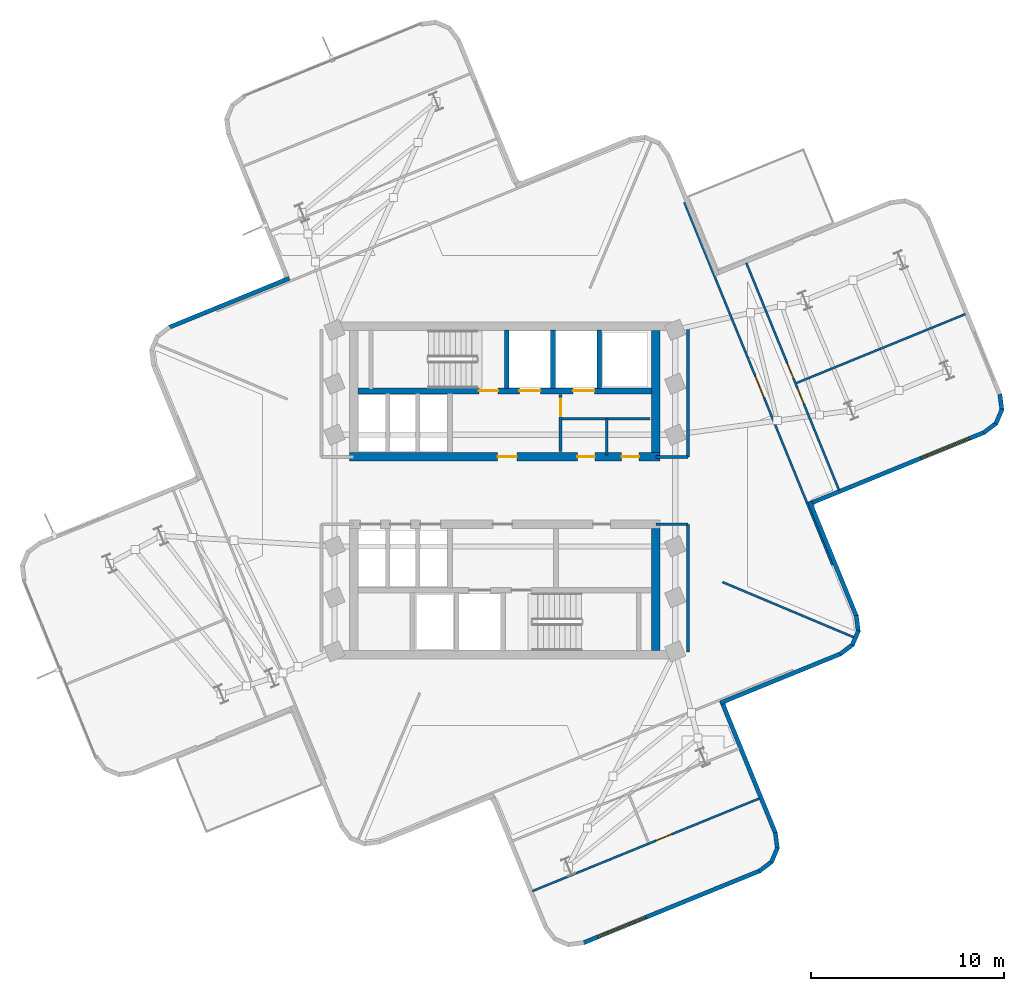
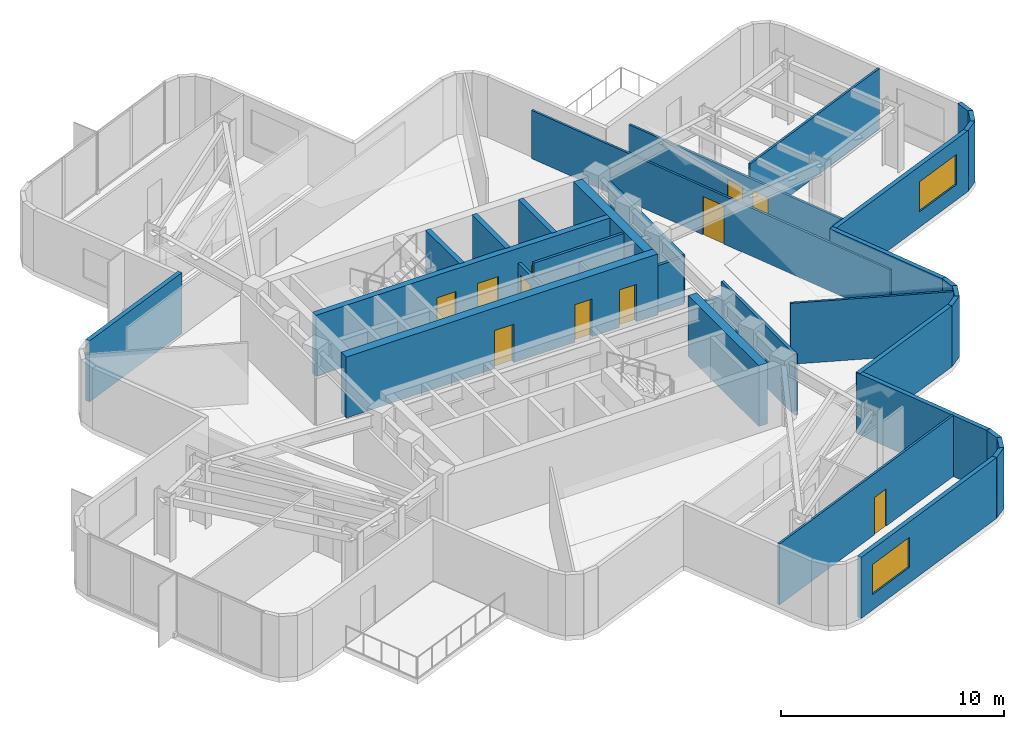
# One storey, part 7 of 11: 34 walls, 11 doors, 2 windows, 13 openings.
"""IFC4 building model written with IfcOpenShell, lengths in metres."""

from ifc_helpers import new_model, si_unit, direction, frame, frame_2d, origin, place, context, subcontext, project, spatial, rectangle, extrude, material, layer, layer_set, type_object, element, fill, save


model = new_model("IFC4")

# Units and contexts
model_context = context("Model", 3, precision=1e-05, world=origin(), true_north=direction((0.0, 1.0)))
body_context = subcontext(model_context, "Body", "Model", "MODEL_VIEW")
ifc_project = project(units=[si_unit("LENGTHUNIT", "METRE"), si_unit("AREAUNIT", "SQUARE_METRE"), si_unit("VOLUMEUNIT", "CUBIC_METRE"), si_unit("PLANEANGLEUNIT", "RADIAN"), si_unit("MASSUNIT", "GRAM", prefix="KILO")], contexts=[model_context])

# Site, building, storey
site_placement = place(None, origin())
site = spatial("IfcSite", under=ifc_project, at=site_placement, CompositionType="ELEMENT")
building_placement = place(site_placement, origin())
building = spatial("IfcBuilding", under=site, at=building_placement, Name="Solmarez Civic Tower", CompositionType="ELEMENT")
storey_placement = place(building_placement, frame((0.0, 0.0, 177.47998046875)))
storey = spatial("IfcBuildingStorey", under=building, at=storey_placement, Name="L47", CompositionType="ELEMENT", Elevation=177.47998046875)

# Wall, openings, doors
ifc_material_1 = material(Name="Concrete C50/60", Category="concrete")
ifc_layer_1 = layer(ifc_material_1, 0.449951171875)
ifc_layer_set_1 = layer_set([ifc_layer_1], Name="Concrete C50/60")
wall_type_1 = type_object("IfcWallType", Name="WALL-CORE-450", PredefinedType="SHEAR", material=ifc_layer_set_1)
wall_1_placement = place(storey_placement, frame((8.070068359375, 1.75, 0.0), z_axis=(0.0, 0.0, 1.0), x_axis=(-1.0, 0.0, 0.0)))
wall_1 = element("IfcWall", 1, at=wall_1_placement, inside=storey, type_object=wall_type_1, Name="L47 Split-Core Structural Wall NCW-S-L47", PredefinedType="SHEAR", context=body_context, shape_type="SweptSolid", body=[
    extrude(rectangle(XDim=16.14013671875, YDim=0.449951171875, at=frame_2d((8.070068359375, 0.0))), origin(), (0.0, 0.0, 1.0), 3.340087890625),
])
opening_1_placement = place(wall_1_placement, frame((7.449951171875, 0.0, 0.0)))
opening_1 = element("IfcOpeningElement", 2, at=opening_1_placement, cuts=wall_1, Name="Opening D-04", PredefinedType="OPENING", context=body_context, shape_type="SweptSolid", body=[
    extrude(rectangle(XDim=1.0, YDim=2.10009765625, at=frame_2d((0.5, 1.050048828125))), frame((0.0, 0.23486328125, 0.0), z_axis=(0.0, -1.0, 0.0), x_axis=(1.0, 0.0, 0.0)), (0.0, 0.0, 1.0), 0.469970703125),
])
opening_2_placement = place(wall_1_placement, frame((3.39990234375, 0.0, 0.0)))
opening_2 = element("IfcOpeningElement", 3, at=opening_2_placement, cuts=wall_1, Name="Opening D-09", PredefinedType="OPENING", context=body_context, shape_type="SweptSolid", body=[
    extrude(rectangle(XDim=0.89990234375, YDim=2.06005859375, at=frame_2d((0.449951171875, 1.030029296875))), frame((0.0, 0.23486328125, 0.0), z_axis=(0.0, -1.0, 0.0), x_axis=(1.0, 0.0, 0.0)), (0.0, 0.0, 1.0), 0.469970703125),
])
opening_3_placement = place(wall_1_placement, frame((1.10009765625, 0.0, 0.0)))
opening_3 = element("IfcOpeningElement", 4, at=opening_3_placement, cuts=wall_1, Name="Opening D-09", PredefinedType="OPENING", context=body_context, shape_type="SweptSolid", body=[
    extrude(rectangle(XDim=0.89990234375, YDim=2.06005859375, at=frame_2d((0.449951171875, 1.030029296875))), frame((0.0, 0.23486328125, 0.0), z_axis=(0.0, -1.0, 0.0), x_axis=(1.0, 0.0, 0.0)), (0.0, 0.0, 1.0), 0.469970703125),
])
ifc_material_2 = material(Name="Steel-Faced Acoustic Fire Door", Category="steel")
door_type_1 = type_object("IfcDoorType", Name="DOOR-FD60-1000", OperationType="NOTDEFINED", PredefinedType="DOOR", material=ifc_material_2)
door_1_placement = place(opening_1_placement, origin())
door_1 = element("IfcDoor", 5, at=door_1_placement, inside=storey, type_object=door_type_1, Name="L47 North Firefighting Lobby Door", OperationType="SINGLE_SWING_RIGHT", OverallHeight=2.10009765625, OverallWidth=1.0, PredefinedType="DOOR", context=body_context, shape_type="SweptSolid", body=[
    extrude(rectangle(XDim=1.0, YDim=2.10009765625, at=frame_2d((0.5, 1.050048828125))), frame((0.0, 0.02490234375, 0.0), z_axis=(0.0, -1.0, 0.0), x_axis=(1.0, 0.0, 0.0)), (0.0, 0.0, 1.0), 0.050048828125),
])
fill(opening_1, door_1)
ifc_material_3 = material(Name="Fire-Rated Service Core Door", Category="wood")
door_type_2 = type_object("IfcDoorType", Name="DOOR-FD60-900", OperationType="NOTDEFINED", PredefinedType="DOOR", material=ifc_material_3)
door_2_placement = place(opening_2_placement, origin())
door_2 = element("IfcDoor", 6, at=door_2_placement, inside=storey, type_object=door_type_2, Name="L47 Core WC Door", OperationType="SINGLE_SWING_LEFT", OverallHeight=2.06005859375, OverallWidth=0.89990234375, PredefinedType="DOOR", context=body_context, shape_type="SweptSolid", body=[
    extrude(rectangle(XDim=0.89990234375, YDim=2.06005859375, at=frame_2d((0.449951171875, 1.030029296875))), frame((0.0, 0.02490234375, 0.0), z_axis=(0.0, -1.0, 0.0), x_axis=(1.0, 0.0, 0.0)), (0.0, 0.0, 1.0), 0.050048828125),
])
fill(opening_2, door_2)
door_3_placement = place(opening_3_placement, origin())
door_3 = element("IfcDoor", 7, at=door_3_placement, inside=storey, type_object=door_type_2, Name="L47 Core CL Door", OperationType="SINGLE_SWING_RIGHT", OverallHeight=2.06005859375, OverallWidth=0.89990234375, PredefinedType="DOOR", context=body_context, shape_type="SweptSolid", body=[
    extrude(rectangle(XDim=0.89990234375, YDim=2.06005859375, at=frame_2d((0.449951171875, 1.030029296875))), frame((0.0, 0.02490234375, 0.0), z_axis=(0.0, -1.0, 0.0), x_axis=(1.0, 0.0, 0.0)), (0.0, 0.0, 1.0), 0.050048828125),
])
fill(opening_3, door_3)

# Walls
for number, where, z_axis, x_axis, name in (
    (8, (7.844970703125, 8.31005859375, 0.0), (0.0, 0.0, 1.0), (0.0, -1.0, 0.0), "L47 Split-Core Structural Wall NCW-E-L47"),
    (9, (7.844970703125, -1.97509765625, 0.0), (0.0, 0.0, 1.0), (0.0, -1.0, 0.0), "L47 Split-Core Structural Wall SCW-E-L47"),
):
    element("IfcWall", number, at=place(storey_placement, frame(where, z_axis=z_axis, x_axis=x_axis)), inside=storey, type_object=wall_type_1, Name=name, PredefinedType="SHEAR", context=body_context, shape_type="SweptSolid", body=[
        extrude(rectangle(XDim=6.3349609375, YDim=0.449951171875, at=frame_2d((3.16748046875, 0.0))), origin(), (0.0, 0.0, 1.0), 3.340087890625),
    ])
ifc_material_4 = material(Name="Precast concrete C40/50", Category="concrete")
ifc_layer_2 = layer(ifc_material_4, 0.219970703125)
ifc_layer_set_2 = layer_set([ifc_layer_2], Name="Precast concrete C40/50")
wall_type_2 = type_object("IfcWallType", Name="WALL-EXT-220", PredefinedType="SOLIDWALL", material=ifc_layer_set_2)
wall_2_placement = place(storey_placement, frame((-17.4560546875, 8.472900390625, 0.0), z_axis=(0.0, 0.0, 1.0), x_axis=(0.925916493636, 0.377728271133, 0.0)))
element("IfcWall", 10, at=wall_2_placement, inside=storey, type_object=wall_type_2, Name="L47 Exterior Precast Wall 17", PredefinedType="SOLIDWALL", context=body_context, shape_type="SweptSolid", body=[
    extrude(rectangle(XDim=6.7587890625, YDim=0.219970703125, at=frame_2d((3.37939453125, 0.0))), origin(), (0.0, 0.0, 1.0), 3.340087890625),
])
wall_3_placement = place(storey_placement, frame((25.7119140625, 5.0048828125, 0.0), z_axis=(0.0, 0.0, 1.0), x_axis=(0.124646916858, -0.992201162123, 0.0)))
element("IfcWall", 11, at=wall_3_placement, inside=storey, type_object=wall_type_2, Name="L47 Exterior Precast Wall 43", PredefinedType="SOLIDWALL", context=body_context, shape_type="SweptSolid", body=[
    extrude(rectangle(XDim=0.83447265625, YDim=0.219970703125, at=frame_2d((0.417236328125, 0.0))), origin(), (0.0, 0.0, 1.0), 3.340087890625),
])
wall_4_placement = place(storey_placement, frame((25.822998046875, 4.22509765625, 0.0), z_axis=(0.0, 0.0, 1.0), x_axis=(-0.387804180062, -0.921741784844, 0.0)))
element("IfcWall", 12, at=wall_4_placement, inside=storey, type_object=wall_type_2, Name="L47 Exterior Precast Wall 44", PredefinedType="SOLIDWALL", context=body_context, shape_type="SweptSolid", body=[
    extrude(rectangle(XDim=0.8203125, YDim=0.219970703125, at=frame_2d((0.41015625, 0.0))), origin(), (0.0, 0.0, 1.0), 3.340087890625),
])
wall_5_placement = place(storey_placement, frame((25.534912109375, 3.507080078125, 0.0), z_axis=(0.0, 0.0, 1.0), x_axis=(-0.796793288666, -0.604251979837, 0.0)))
element("IfcWall", 13, at=wall_5_placement, inside=storey, type_object=wall_type_2, Name="L47 Exterior Precast Wall 45", PredefinedType="SOLIDWALL", context=body_context, shape_type="SweptSolid", body=[
    extrude(rectangle(XDim=0.834228515625, YDim=0.219970703125, at=frame_2d((0.4169921875, 0.0))), origin(), (0.0, 0.0, 1.0), 3.340087890625),
])

# Wall, opening, window
wall_6_placement = place(storey_placement, frame((24.9130859375, 3.027099609375, 0.0), z_axis=(0.0, 0.0, 1.0), x_axis=(-0.925892554472, -0.37778694733, 0.0)))
wall_6 = element("IfcWall", 14, at=wall_6_placement, inside=storey, type_object=wall_type_2, Name="L47 Exterior Precast Wall 46", PredefinedType="SOLIDWALL", context=body_context, shape_type="SweptSolid", body=[
    extrude(rectangle(XDim=9.857666015625, YDim=0.219970703125, at=frame_2d((4.9287109375, 0.0))), origin(), (0.0, 0.0, 1.0), 3.340087890625),
])
opening_4_placement = place(wall_6_placement, frame((0.85009765625, 0.0, 0.85009765625)))
opening_4 = element("IfcOpeningElement", 15, at=opening_4_placement, cuts=wall_6, Name="Opening W-09", PredefinedType="OPENING", context=body_context, shape_type="SweptSolid", body=[
    extrude(rectangle(XDim=2.699951171875, YDim=1.64990234375, at=frame_2d((1.35009765625, 0.824951171875))), frame((0.0, 0.119873046875, 0.0), z_axis=(0.0, -1.0, 0.0), x_axis=(1.0, 0.0, 0.0)), (0.0, 0.0, 1.0), 0.239990234375),
])
ifc_material_5 = material(Name="Solar Control Bronze-Tinted Insulating Glass", Category="glass")
window_type = type_object("IfcWindowType", Name="WIN-2700X1650", PartitioningType="SINGLE_PANEL", PredefinedType="WINDOW", material=ifc_material_5)
window_1_placement = place(opening_4_placement, origin())
window_1 = element("IfcWindow", 16, at=window_1_placement, inside=storey, type_object=window_type, Name="L47 Exterior Facade Window 46", OverallHeight=1.64990234375, OverallWidth=2.699951171875, PartitioningType="SINGLE_PANEL", PredefinedType="WINDOW", context=body_context, shape_type="SweptSolid", body=[
    extrude(rectangle(XDim=2.699951171875, YDim=1.64990234375, at=frame_2d((1.35009765625, 0.824951171875))), frame((0.0, 0.030029296875, 0.0), z_axis=(0.0, -1.0, 0.0), x_axis=(1.0, 0.0, 0.0)), (0.0, 0.0, 1.0), 0.06005859375),
])
fill(opening_4, window_1)

# Walls
wall_7_placement = place(storey_placement, frame((15.833984375, -0.5830078125, 0.0), z_axis=(0.0, 0.0, 1.0), x_axis=(0.377776256629, -0.925896916469, 0.0)))
element("IfcWall", 17, at=wall_7_placement, inside=storey, type_object=wall_type_2, Name="L47 Exterior Precast Wall 49", PredefinedType="SOLIDWALL", context=body_context, shape_type="SweptSolid", body=[
    extrude(rectangle(XDim=6.43798828125, YDim=0.219970703125, at=frame_2d((3.218994140625, 0.0))), origin(), (0.0, 0.0, 1.0), 3.340087890625),
])
wall_8_placement = place(storey_placement, frame((18.25390625, -6.49609375, 0.0), z_axis=(0.0, 0.0, 1.0), x_axis=(0.124646916858, -0.992201162123, 0.0)))
element("IfcWall", 18, at=wall_8_placement, inside=storey, type_object=wall_type_2, Name="L47 Exterior Precast Wall 50", PredefinedType="SOLIDWALL", context=body_context, shape_type="SweptSolid", body=[
    extrude(rectangle(XDim=0.83447265625, YDim=0.219970703125, at=frame_2d((0.417236328125, 0.0))), origin(), (0.0, 0.0, 1.0), 3.340087890625),
])
wall_9_placement = place(storey_placement, frame((18.364990234375, -7.27587890625, 0.0), z_axis=(0.0, 0.0, 1.0), x_axis=(-0.387977068381, -0.9216690265, 0.0)))
element("IfcWall", 19, at=wall_9_placement, inside=storey, type_object=wall_type_2, Name="L47 Exterior Precast Wall 51", PredefinedType="SOLIDWALL", context=body_context, shape_type="SweptSolid", body=[
    extrude(rectangle(XDim=0.8193359375, YDim=0.219970703125, at=frame_2d((0.40966796875, 0.0))), origin(), (0.0, 0.0, 1.0), 3.340087890625),
])
wall_10_placement = place(storey_placement, frame((18.076904296875, -7.992919921875, 0.0), z_axis=(0.0, 0.0, 1.0), x_axis=(-0.796365329878, -0.604815890473, 0.0)))
element("IfcWall", 20, at=wall_10_placement, inside=storey, type_object=wall_type_2, Name="L47 Exterior Precast Wall 52", PredefinedType="SOLIDWALL", context=body_context, shape_type="SweptSolid", body=[
    extrude(rectangle(XDim=0.83349609375, YDim=0.219970703125, at=frame_2d((0.416748046875, 0.0))), origin(), (0.0, 0.0, 1.0), 3.340087890625),
])
wall_11_placement = place(storey_placement, frame((17.4560546875, -8.472900390625, 0.0), z_axis=(0.0, 0.0, 1.0), x_axis=(-0.925916493636, -0.377728271133, 0.0)))
element("IfcWall", 21, at=wall_11_placement, inside=storey, type_object=wall_type_2, Name="L47 Exterior Precast Wall 53", PredefinedType="SOLIDWALL", context=body_context, shape_type="SweptSolid", body=[
    extrude(rectangle(XDim=6.7587890625, YDim=0.219970703125, at=frame_2d((3.37939453125, 0.0))), origin(), (0.0, 0.0, 1.0), 3.340087890625),
])
wall_12_placement = place(storey_placement, frame((11.24609375, -10.912109375, 0.0), z_axis=(0.0, 0.0, 1.0), x_axis=(0.377850036169, -0.925866810166, 0.0)))
element("IfcWall", 22, at=wall_12_placement, inside=storey, type_object=wall_type_2, Name="L47 Exterior Precast Wall 56", PredefinedType="SOLIDWALL", context=body_context, shape_type="SweptSolid", body=[
    extrude(rectangle(XDim=7.457763671875, YDim=0.219970703125, at=frame_2d((3.72900390625, 0.0))), origin(), (0.0, 0.0, 1.0), 3.340087890625),
])
wall_13_placement = place(storey_placement, frame((14.052001953125, -17.76904296875, 0.0), z_axis=(0.0, 0.0, 1.0), x_axis=(0.124646916858, -0.992201162123, 0.0)))
element("IfcWall", 23, at=wall_13_placement, inside=storey, type_object=wall_type_2, Name="L47 Exterior Precast Wall 57", PredefinedType="SOLIDWALL", context=body_context, shape_type="SweptSolid", body=[
    extrude(rectangle(XDim=0.83447265625, YDim=0.219970703125, at=frame_2d((0.417236328125, 0.0))), origin(), (0.0, 0.0, 1.0), 3.340087890625),
])
wall_14_placement = place(storey_placement, frame((14.1630859375, -18.549072265625, 0.0), z_axis=(0.0, 0.0, 1.0), x_axis=(-0.388336782412, -0.92151752204, 0.0)))
element("IfcWall", 24, at=wall_14_placement, inside=storey, type_object=wall_type_2, Name="L47 Exterior Precast Wall 58", PredefinedType="SOLIDWALL", context=body_context, shape_type="SweptSolid", body=[
    extrude(rectangle(XDim=0.819091796875, YDim=0.219970703125, at=frame_2d((0.40966796875, 0.0))), origin(), (0.0, 0.0, 1.0), 3.340087890625),
])
wall_15_placement = place(storey_placement, frame((13.875, -19.26611328125, 0.0), z_axis=(0.0, 0.0, 1.0), x_axis=(-0.796613459657, -0.604489037034, 0.0)))
element("IfcWall", 25, at=wall_15_placement, inside=storey, type_object=wall_type_2, Name="L47 Exterior Precast Wall 59", PredefinedType="SOLIDWALL", context=body_context, shape_type="SweptSolid", body=[
    extrude(rectangle(XDim=0.83349609375, YDim=0.219970703125, at=frame_2d((0.416748046875, 0.0))), origin(), (0.0, 0.0, 1.0), 3.340087890625),
])

# Wall, opening, window
wall_16_placement = place(storey_placement, frame((13.25390625, -19.74609375, 0.0), z_axis=(0.0, 0.0, 1.0), x_axis=(-0.925876400685, -0.377826535137, 0.0)))
wall_16 = element("IfcWall", 26, at=wall_16_placement, inside=storey, type_object=wall_type_2, Name="L47 Exterior Precast Wall 60", PredefinedType="SOLIDWALL", context=body_context, shape_type="SweptSolid", body=[
    extrude(rectangle(XDim=9.940673828125, YDim=0.219970703125, at=frame_2d((4.97021484375, 0.0))), origin(), (0.0, 0.0, 1.0), 3.340087890625),
])
opening_5_placement = place(wall_16_placement, frame((6.404052734375, 0.0, 0.85009765625)))
opening_5 = element("IfcOpeningElement", 27, at=opening_5_placement, cuts=wall_16, Name="Opening W-09", PredefinedType="OPENING", context=body_context, shape_type="SweptSolid", body=[
    extrude(rectangle(XDim=2.699951171875, YDim=1.64990234375, at=frame_2d((1.35009765625, 0.824951171875))), frame((0.0, 0.119873046875, 0.0), z_axis=(0.0, -1.0, 0.0), x_axis=(1.0, 0.0, 0.0)), (0.0, 0.0, 1.0), 0.239990234375),
])
window_2_placement = place(opening_5_placement, origin())
window_2 = element("IfcWindow", 28, at=window_2_placement, inside=storey, type_object=window_type, Name="L47 Exterior Facade Window 60", OverallHeight=1.64990234375, OverallWidth=2.699951171875, PartitioningType="SINGLE_PANEL", PredefinedType="WINDOW", context=body_context, shape_type="SweptSolid", body=[
    extrude(rectangle(XDim=2.699951171875, YDim=1.64990234375, at=frame_2d((1.35009765625, 0.824951171875))), frame((0.0, 0.030029296875, 0.0), z_axis=(0.0, -1.0, 0.0), x_axis=(1.0, 0.0, 0.0)), (0.0, 0.0, 1.0), 0.06005859375),
])
fill(opening_5, window_2)

# Walls
ifc_material_6 = material(Name="Gypsum Board Acoustic Steel-Stud Partition", Category="steel")
ifc_layer_3 = layer(ifc_material_6, 0.14990234375)
ifc_layer_set_3 = layer_set([ifc_layer_3], Name="Gypsum Board Acoustic Steel-Stud Partition")
wall_type_3 = type_object("IfcWallType", Name="WALL-INT-FIRE-150", PredefinedType="PARTITIONING", material=ifc_layer_set_3)
wall_17_placement = place(storey_placement, frame((9.52001953125, 1.75, 0.0), z_axis=(0.0, 0.0, 1.0), x_axis=(0.0, 1.0, 0.0)))
element("IfcWall", 29, at=wall_17_placement, inside=storey, type_object=wall_type_3, Name="L47 Interior Partition CHW-L47-EN1", PredefinedType="PARTITIONING", context=body_context, shape_type="SweptSolid", body=[
    extrude(rectangle(XDim=6.6298828125, YDim=0.14990234375, at=frame_2d((3.31494140625, 0.0))), origin(), (0.0, 0.0, 1.0), 2.64404296875),
])
wall_18_placement = place(storey_placement, frame((7.85009765625, 1.75, 0.0), z_axis=(0.0, 0.0, 1.0), x_axis=(1.0, 0.0, 0.0)))
element("IfcWall", 30, at=wall_18_placement, inside=storey, type_object=wall_type_3, Name="L47 Interior Partition CHW-L47-EN3", PredefinedType="PARTITIONING", context=body_context, shape_type="SweptSolid", body=[
    extrude(rectangle(XDim=1.669921875, YDim=0.14990234375, at=frame_2d((0.8349609375, 0.0))), origin(), (0.0, 0.0, 1.0), 2.570068359375),
])
wall_19_placement = place(storey_placement, frame((9.52001953125, -8.3798828125, 0.0), z_axis=(0.0, 0.0, 1.0), x_axis=(0.0, 1.0, 0.0)))
element("IfcWall", 31, at=wall_19_placement, inside=storey, type_object=wall_type_3, Name="L47 Interior Partition CHW-L47-ES1", PredefinedType="PARTITIONING", context=body_context, shape_type="SweptSolid", body=[
    extrude(rectangle(XDim=6.6298828125, YDim=0.14990234375, at=frame_2d((3.31494140625, 0.0))), origin(), (0.0, 0.0, 1.0), 3.340087890625),
])
wall_20_placement = place(storey_placement, frame((7.85009765625, -1.75, 0.0), z_axis=(0.0, 0.0, 1.0), x_axis=(1.0, 0.0, 0.0)))
element("IfcWall", 32, at=wall_20_placement, inside=storey, type_object=wall_type_3, Name="L47 Interior Partition CHW-L47-ES3", PredefinedType="PARTITIONING", context=body_context, shape_type="SweptSolid", body=[
    extrude(rectangle(XDim=1.669921875, YDim=0.14990234375, at=frame_2d((0.8349609375, 0.0))), origin(), (0.0, 0.0, 1.0), 2.570068359375),
])
ifc_layer_4 = layer(ifc_material_6, 0.110107421875)
ifc_layer_set_4 = layer_set([ifc_layer_4], Name="Gypsum Board Acoustic Steel-Stud Partition")
wall_type_4 = type_object("IfcWallType", Name="WALL-INT-PART-110", PredefinedType="PARTITIONING", material=ifc_layer_set_4)
wall_21_placement = place(storey_placement, frame((11.300048828125, -4.75, 0.0), z_axis=(0.0, 0.0, 1.0), x_axis=(0.92186077199, -0.387521247245, 0.0)))
element("IfcWall", 33, at=wall_21_placement, inside=storey, type_object=wall_type_4, Name="L47 Interior Partition PT-L47-QDIV-4", PredefinedType="PARTITIONING", context=body_context, shape_type="SweptSolid", body=[
    extrude(rectangle(XDim=7.41650390625, YDim=0.110107421875, at=frame_2d((3.708251953125, 0.0))), origin(), (0.0, 0.0, 1.0), 3.340087890625),
])

# Wall, opening, door
wall_22_placement = place(storey_placement, frame((9.322998046875, 14.972900390625, 0.0), z_axis=(0.0, 0.0, 1.0), x_axis=(0.377891753295, -0.92584978414, 0.0)))
wall_22 = element("IfcWall", 34, at=wall_22_placement, inside=storey, type_object=wall_type_4, Name="L47 Interior Partition PT-L47-E-ENT", PredefinedType="PARTITIONING", context=body_context, shape_type="SweptSolid", body=[
    extrude(rectangle(XDim=20.360595703125, YDim=0.110107421875, at=frame_2d((10.18017578125, 0.0))), origin(), (0.0, 0.0, 1.0), 2.64404296875),
])
opening_6_placement = place(wall_22_placement, frame((9.740966796875, 0.0, 0.0)))
opening_6 = element("IfcOpeningElement", 35, at=opening_6_placement, cuts=wall_22, Name="Opening D-11", PredefinedType="OPENING", context=body_context, shape_type="SweptSolid", body=[
    extrude(rectangle(XDim=1.199951171875, YDim=2.10009765625, at=frame_2d((0.60009765625, 1.050048828125))), frame((0.0, 0.06494140625, 0.0), z_axis=(0.0, -1.0, 0.0), x_axis=(1.0, 0.0, 0.0)), (0.0, 0.0, 1.0), 0.130126953125),
])
ifc_material_7 = material(Name="Glazed-Vision Acoustic Chamber Door", Category="wood")
door_type_3 = type_object("IfcDoorType", Name="DOOR-INT-1200", OperationType="NOTDEFINED", PredefinedType="DOOR", material=ifc_material_7)
door_4_placement = place(opening_6_placement, origin())
door_4 = element("IfcDoor", 36, at=door_4_placement, inside=storey, type_object=door_type_3, Name="L47 Tribunal Chamber Wellness Fitness Room First East Door", OperationType="SINGLE_SWING_LEFT", OverallHeight=2.10009765625, OverallWidth=1.199951171875, PredefinedType="DOOR", context=body_context, shape_type="SweptSolid", body=[
    extrude(rectangle(XDim=1.199951171875, YDim=2.10009765625, at=frame_2d((0.60009765625, 1.050048828125))), frame((0.0, 0.02490234375, 0.0), z_axis=(0.0, -1.0, 0.0), x_axis=(1.0, 0.0, 0.0)), (0.0, 0.0, 1.0), 0.050048828125),
])
fill(opening_6, door_4)

# Wall
wall_23_placement = place(storey_placement, frame((15.15087890625, 5.589111328125, 0.0), z_axis=(0.0, 0.0, 1.0), x_axis=(0.925886825242, 0.37780098841, 0.0)))
element("IfcWall", 37, at=wall_23_placement, inside=storey, type_object=wall_type_4, Name="L47 Interior Partition PT-L47-E-TSP", PredefinedType="PARTITIONING", context=body_context, shape_type="SweptSolid", body=[
    extrude(rectangle(XDim=9.475341796875, YDim=0.110107421875, at=frame_2d((4.73779296875, 0.0))), origin(), (0.0, 0.0, 1.0), 3.340087890625),
])

# Wall, openings, doors
wall_24_placement = place(storey_placement, frame((17.35693359375, 0.02490234375, 0.0), z_axis=(0.0, 0.0, 1.0), x_axis=(-0.37779315338, 0.925890022227, 0.0)))
wall_24 = element("IfcWall", 38, at=wall_24_placement, inside=storey, type_object=wall_type_4, Name="L47 Interior Partition PT-L47-E-SCUT", PredefinedType="PARTITIONING", context=body_context, shape_type="SweptSolid", body=[
    extrude(rectangle(XDim=12.75, YDim=0.110107421875, at=frame_2d((6.375, 0.0))), origin(), (0.0, 0.0, 1.0), 2.64404296875),
])
opening_7_placement = place(wall_24_placement, frame((4.8349609375, 0.0, 0.0)))
opening_7 = element("IfcOpeningElement", 39, at=opening_7_placement, cuts=wall_24, Name="Opening D-14", PredefinedType="OPENING", context=body_context, shape_type="SweptSolid", body=[
    extrude(rectangle(XDim=0.860107421875, YDim=2.0400390625, at=frame_2d((0.43017578125, 1.02001953125))), frame((0.0, 0.06494140625, 0.0), z_axis=(0.0, -1.0, 0.0), x_axis=(1.0, 0.0, 0.0)), (0.0, 0.0, 1.0), 0.130126953125),
])
opening_8_placement = place(wall_24_placement, frame((6.27490234375, 0.0, 0.0)))
opening_8 = element("IfcOpeningElement", 40, at=opening_8_placement, cuts=wall_24, Name="Opening D-14", PredefinedType="OPENING", context=body_context, shape_type="SweptSolid", body=[
    extrude(rectangle(XDim=0.860107421875, YDim=2.0400390625, at=frame_2d((0.43017578125, 1.02001953125))), frame((0.0, 0.06494140625, 0.0), z_axis=(0.0, -1.0, 0.0), x_axis=(1.0, 0.0, 0.0)), (0.0, 0.0, 1.0), 0.130126953125),
])
ifc_material_8 = material(Name="Timber Storage and Pantry Door", Category="wood")
door_type_4 = type_object("IfcDoorType", Name="DOOR-INT-850", OperationType="NOTDEFINED", PredefinedType="DOOR", material=ifc_material_8)
door_5_placement = place(opening_7_placement, origin())
door_5 = element("IfcDoor", 41, at=door_5_placement, inside=storey, type_object=door_type_4, Name="L47 Public Reading Room Third East Door", OperationType="SINGLE_SWING_RIGHT", OverallHeight=2.0400390625, OverallWidth=0.860107421875, PredefinedType="DOOR", context=body_context, shape_type="SweptSolid", body=[
    extrude(rectangle(XDim=0.860107421875, YDim=2.0400390625, at=frame_2d((0.43017578125, 1.02001953125))), frame((0.0, 0.02490234375, 0.0), z_axis=(0.0, -1.0, 0.0), x_axis=(1.0, 0.0, 0.0)), (0.0, 0.0, 1.0), 0.050048828125),
])
fill(opening_7, door_5)
door_6_placement = place(opening_8_placement, origin())
door_6 = element("IfcDoor", 42, at=door_6_placement, inside=storey, type_object=door_type_4, Name="L47 Citizen Legal Clinic Second East Door", OperationType="SINGLE_SWING_LEFT", OverallHeight=2.0400390625, OverallWidth=0.860107421875, PredefinedType="DOOR", context=body_context, shape_type="SweptSolid", body=[
    extrude(rectangle(XDim=0.860107421875, YDim=2.0400390625, at=frame_2d((0.43017578125, 1.02001953125))), frame((0.0, 0.02490234375, 0.0), z_axis=(0.0, -1.0, 0.0), x_axis=(1.0, 0.0, 0.0)), (0.0, 0.0, 1.0), 0.050048828125),
])
fill(opening_8, door_6)

# Wall, opening, door
wall_25_placement = place(storey_placement, frame((13.236083984375, -15.98388671875, 0.0), z_axis=(0.0, 0.0, 1.0), x_axis=(-0.92585653016, -0.377875224856, 0.0)))
wall_25 = element("IfcWall", 43, at=wall_25_placement, inside=storey, type_object=wall_type_4, Name="L47 Interior Partition PT-L47-S-S2", PredefinedType="PARTITIONING", context=body_context, shape_type="SweptSolid", body=[
    extrude(rectangle(XDim=12.75048828125, YDim=0.110107421875, at=frame_2d((6.375244140625, 0.0))), origin(), (0.0, 0.0, 1.0), 3.340087890625),
])
opening_9_placement = place(wall_25_placement, frame((4.93994140625, 0.0, 0.0)))
opening_9 = element("IfcOpeningElement", 44, at=opening_9_placement, cuts=wall_25, Name="Opening D-14", PredefinedType="OPENING", context=body_context, shape_type="SweptSolid", body=[
    extrude(rectangle(XDim=0.860107421875, YDim=2.0400390625, at=frame_2d((0.43017578125, 1.02001953125))), frame((0.0, 0.06494140625, 0.0), z_axis=(0.0, -1.0, 0.0), x_axis=(1.0, 0.0, 0.0)), (0.0, 0.0, 1.0), 0.130126953125),
])
door_7_placement = place(opening_9_placement, origin())
door_7 = element("IfcDoor", 45, at=door_7_placement, inside=storey, type_object=door_type_4, Name="L47 Public Reading Room Fourth South Door", OperationType="SINGLE_SWING_LEFT", OverallHeight=2.0400390625, OverallWidth=0.860107421875, PredefinedType="DOOR", context=body_context, shape_type="SweptSolid", body=[
    extrude(rectangle(XDim=0.860107421875, YDim=2.0400390625, at=frame_2d((0.43017578125, 1.02001953125))), frame((0.0, 0.02490234375, 0.0), z_axis=(0.0, -1.0, 0.0), x_axis=(1.0, 0.0, 0.0)), (0.0, 0.0, 1.0), 0.050048828125),
])
fill(opening_9, door_7)

ifc_layer_5 = layer(ifc_material_6, 0.159912109375)
ifc_layer_set_5 = layer_set([ifc_layer_5], Name="Gypsum Board Acoustic Steel-Stud Partition")
wall_type_5 = type_object("IfcWallType", Name="WALL-INT-SHAFT-160", PredefinedType="PARTITIONING", material=ifc_layer_set_5)
wall_26_placement = place(storey_placement, frame((2.89990234375, 2.0400390625, 0.0), z_axis=(0.0, 0.0, 1.0), x_axis=(0.0, 1.0, 0.0)))
wall_26 = element("IfcWall", 46, at=wall_26_placement, inside=storey, type_object=wall_type_5, Name="L47 Interior Partition SHW-NL2-L47", PredefinedType="PARTITIONING", context=body_context, shape_type="SweptSolid", body=[
    extrude(rectangle(XDim=2.93994140625, YDim=0.159912109375, at=frame_2d((1.469970703125, 0.0))), origin(), (0.0, 0.0, 1.0), 2.570068359375),
])
opening_10_placement = place(wall_26_placement, frame((1.820068359375, 0.0, 0.0)))
opening_10 = element("IfcOpeningElement", 47, at=opening_10_placement, cuts=wall_26, Name="Opening D-09", PredefinedType="OPENING", context=body_context, shape_type="SweptSolid", body=[
    extrude(rectangle(XDim=0.89990234375, YDim=2.06005859375, at=frame_2d((0.449951171875, 1.030029296875))), frame((0.0, 0.08984375, 0.0), z_axis=(0.0, -1.0, 0.0), x_axis=(1.0, 0.0, 0.0)), (0.0, 0.0, 1.0), 0.179931640625),
])
door_8_placement = place(opening_10_placement, origin())
door_8 = element("IfcDoor", 48, at=door_8_placement, inside=storey, type_object=door_type_2, Name="L47 Service Lift Lobby Door", OperationType="SINGLE_SWING_LEFT", OverallHeight=2.06005859375, OverallWidth=0.89990234375, PredefinedType="DOOR", context=body_context, shape_type="SweptSolid", body=[
    extrude(rectangle(XDim=0.89990234375, YDim=2.06005859375, at=frame_2d((0.449951171875, 1.030029296875))), frame((0.0, 0.02490234375, 0.0), z_axis=(0.0, -1.0, 0.0), x_axis=(1.0, 0.0, 0.0)), (0.0, 0.0, 1.0), 0.050048828125),
])
fill(opening_10, door_8)

# Walls
ifc_layer_6 = layer(ifc_material_6, 0.137939453125)
ifc_layer_set_6 = layer_set([ifc_layer_6], Name="Gypsum Board Acoustic Steel-Stud Partition")
wall_type_6 = type_object("IfcWallType", Name="WALL-INT-WET-140", PredefinedType="PARTITIONING", material=ifc_layer_set_6)
wall_27_placement = place(storey_placement, frame((2.89990234375, 3.739990234375, 0.0), z_axis=(0.0, 0.0, 1.0), x_axis=(1.0, 0.0, 0.0)))
element("IfcWall", 49, at=wall_27_placement, inside=storey, type_object=wall_type_6, Name="L47 Interior Partition SHW-SVH-L47", PredefinedType="PARTITIONING", context=body_context, shape_type="SweptSolid", body=[
    extrude(rectangle(XDim=4.650146484375, YDim=0.137939453125, at=frame_2d((2.3251953125, 0.0))), origin(), (0.0, 0.0, 1.0), 3.340087890625),
])
wall_28_placement = place(storey_placement, frame((5.300048828125, 1.85009765625, 0.0), z_axis=(0.0, 0.0, 1.0), x_axis=(0.0, 1.0, 0.0)))
element("IfcWall", 50, at=wall_28_placement, inside=storey, type_object=wall_type_6, Name="L47 Interior Partition PT-NCSV-L47", PredefinedType="PARTITIONING", context=body_context, shape_type="SweptSolid", body=[
    extrude(rectangle(XDim=1.889892578125, YDim=0.137939453125, at=frame_2d((0.94482421875, 0.0))), origin(), (0.0, 0.0, 1.0), 2.570068359375),
])

# Wall, openings, doors
ifc_layer_7 = layer(ifc_material_1, 0.300048828125)
ifc_layer_set_7 = layer_set([ifc_layer_7], Name="Concrete C50/60")
wall_type_7 = type_object("IfcWallType", Name="WALL-STR-300", PredefinedType="SOLIDWALL", material=ifc_layer_set_7)
wall_29_placement = place(storey_placement, frame((7.6201171875, 5.179931640625, 0.0), z_axis=(0.0, 0.0, 1.0), x_axis=(-1.0, 0.0, 0.0)))
wall_29 = element("IfcWall", 51, at=wall_29_placement, inside=storey, type_object=wall_type_7, Name="L47 Split-Core Structural Wall NCW-M-L47", PredefinedType="SOLIDWALL", context=body_context, shape_type="SweptSolid", body=[
    extrude(rectangle(XDim=15.240234375, YDim=0.300048828125, at=frame_2d((7.6201171875, 0.0))), origin(), (0.0, 0.0, 1.0), 3.340087890625),
])
opening_11_placement = place(wall_29_placement, frame((5.77001953125, 0.0, 0.0)))
opening_11 = element("IfcOpeningElement", 52, at=opening_11_placement, cuts=wall_29, Name="Opening LD-02", PredefinedType="OPENING", context=body_context, shape_type="SweptSolid", body=[
    extrude(rectangle(XDim=1.10009765625, YDim=2.14990234375, at=frame_2d((0.550048828125, 1.074951171875))), frame((0.0, 0.159912109375, 0.0), z_axis=(0.0, -1.0, 0.0), x_axis=(1.0, 0.0, 0.0)), (0.0, 0.0, 1.0), 0.320068359375),
])
opening_12_placement = place(wall_29_placement, frame((2.969970703125, 0.0, 0.0)))
opening_12 = element("IfcOpeningElement", 53, at=opening_12_placement, cuts=wall_29, Name="Opening LD-03", PredefinedType="OPENING", context=body_context, shape_type="SweptSolid", body=[
    extrude(rectangle(XDim=1.10009765625, YDim=2.14990234375, at=frame_2d((0.550048828125, 1.074951171875))), frame((0.0, 0.159912109375, 0.0), z_axis=(0.0, -1.0, 0.0), x_axis=(1.0, 0.0, 0.0)), (0.0, 0.0, 1.0), 0.320068359375),
])
opening_13_placement = place(wall_29_placement, frame((7.969970703125, 0.0, 0.0)))
opening_13 = element("IfcOpeningElement", 54, at=opening_13_placement, cuts=wall_29, Name="Opening D-05", PredefinedType="OPENING", context=body_context, shape_type="SweptSolid", body=[
    extrude(rectangle(XDim=1.0, YDim=2.10009765625, at=frame_2d((0.5, 1.050048828125))), frame((0.0, 0.159912109375, 0.0), z_axis=(0.0, -1.0, 0.0), x_axis=(1.0, 0.0, 0.0)), (0.0, 0.0, 1.0), 0.320068359375),
])
ifc_material_9 = material(Name="Fire-Rated Stairwell Exit Door", Category="wood")
door_type_5 = type_object("IfcDoorType", Name="DOOR-FD90-1000", OperationType="NOTDEFINED", PredefinedType="DOOR", material=ifc_material_9)
door_9_placement = place(opening_13_placement, origin())
door_9 = element("IfcDoor", 55, at=door_9_placement, inside=storey, type_object=door_type_5, Name="L47 North Exit Stair Door ST-1", OperationType="SINGLE_SWING_RIGHT", OverallHeight=2.10009765625, OverallWidth=1.0, PredefinedType="DOOR", context=body_context, shape_type="SweptSolid", body=[
    extrude(rectangle(XDim=1.0, YDim=2.10009765625, at=frame_2d((0.5, 1.050048828125))), frame((0.0, 0.02490234375, 0.0), z_axis=(0.0, -1.0, 0.0), x_axis=(1.0, 0.0, 0.0)), (0.0, 0.0, 1.0), 0.050048828125),
])
fill(opening_13, door_9)
ifc_material_10 = material(Name="Stainless Firefighting Lift Landing Sliding Door", Category="aluminium")
door_type_6 = type_object("IfcDoorType", Name="DOOR-LD-FF-1100", OperationType="DOUBLE_DOOR_SLIDING", PredefinedType="DOOR", material=ifc_material_10)
door_10_placement = place(opening_11_placement, origin())
door_10 = element("IfcDoor", 56, at=door_10_placement, inside=storey, type_object=door_type_6, Name="L47 Firefighting Lift Landing Door FFL-1", OperationType="DOUBLE_DOOR_SLIDING", OverallHeight=2.14990234375, OverallWidth=1.10009765625, PredefinedType="DOOR", context=body_context, shape_type="SweptSolid", body=[
    extrude(rectangle(XDim=1.10009765625, YDim=2.14990234375, at=frame_2d((0.550048828125, 1.074951171875))), frame((0.0, 0.02490234375, 0.0), z_axis=(0.0, -1.0, 0.0), x_axis=(1.0, 0.0, 0.0)), (0.0, 0.0, 1.0), 0.050048828125),
])
fill(opening_11, door_10)
ifc_material_11 = material(Name="Stainless Stretcher Lift Landing Sliding Door", Category="aluminium")
door_type_7 = type_object("IfcDoorType", Name="DOOR-LD-SV-1100", OperationType="DOUBLE_DOOR_SLIDING", PredefinedType="DOOR", material=ifc_material_11)
door_11_placement = place(opening_12_placement, origin())
door_11 = element("IfcDoor", 57, at=door_11_placement, inside=storey, type_object=door_type_7, Name="L47 Service Stretcher Lift Landing Door SVL-1", OperationType="DOUBLE_DOOR_SLIDING", OverallHeight=2.14990234375, OverallWidth=1.10009765625, PredefinedType="DOOR", context=body_context, shape_type="SweptSolid", body=[
    extrude(rectangle(XDim=1.10009765625, YDim=2.14990234375, at=frame_2d((0.550048828125, 1.074951171875))), frame((0.0, 0.02490234375, 0.0), z_axis=(0.0, -1.0, 0.0), x_axis=(1.0, 0.0, 0.0)), (0.0, 0.0, 1.0), 0.050048828125),
])
fill(opening_12, door_11)

# Walls
for number, where, z_axis, x_axis, name in (
    (58, (0.10009765625, 5.300048828125, 0.0), (0.0, 0.0, 1.0), (0.0, 1.0, 0.0), "L47 Split-Core Structural Wall SHW-N1-L47"),
    (59, (2.5, 5.300048828125, 0.0), (0.0, 0.0, 1.0), (0.0, 1.0, 0.0), "L47 Split-Core Structural Wall SHW-N2-L47"),
    (60, (4.89990234375, 5.300048828125, 0.0), (0.0, 0.0, 1.0), (0.0, 1.0, 0.0), "L47 Split-Core Structural Wall SHW-N3-L47"),
):
    element("IfcWall", number, at=place(storey_placement, frame(where, z_axis=z_axis, x_axis=x_axis)), inside=storey, type_object=wall_type_7, Name=name, PredefinedType="SOLIDWALL", context=body_context, shape_type="SweptSolid", body=[
        extrude(rectangle(XDim=3.0400390625, YDim=0.25, at=frame_2d((1.52001953125, 0.0))), origin(), (0.0, 0.0, 1.0), 3.340087890625),
    ])

save(model, "model.ifc")
